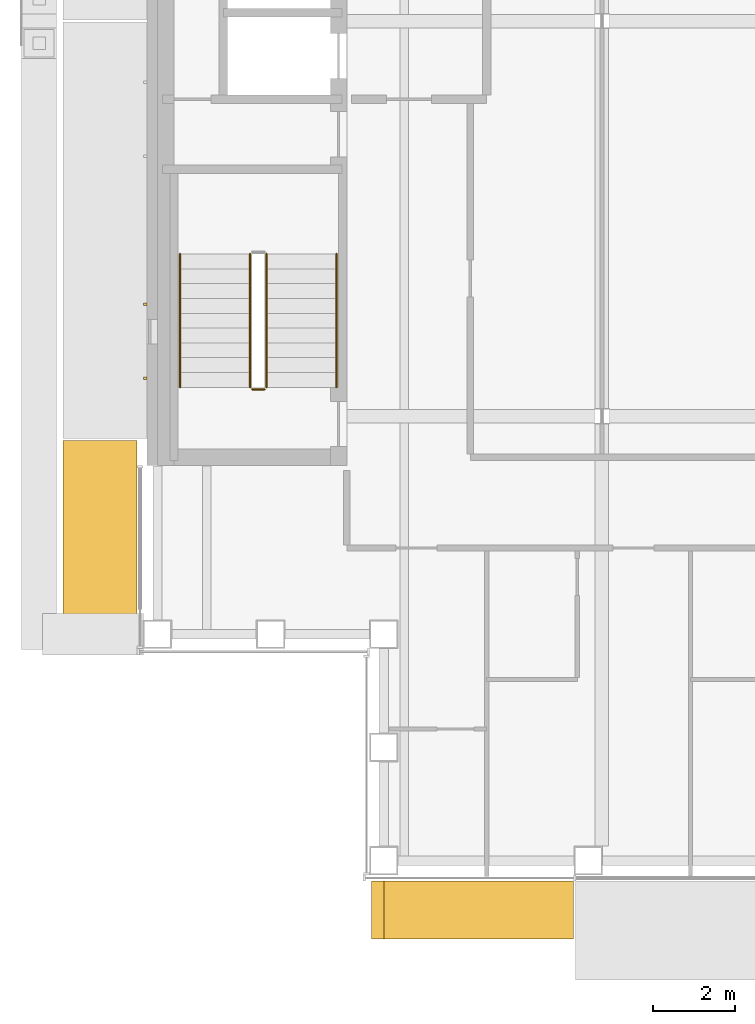
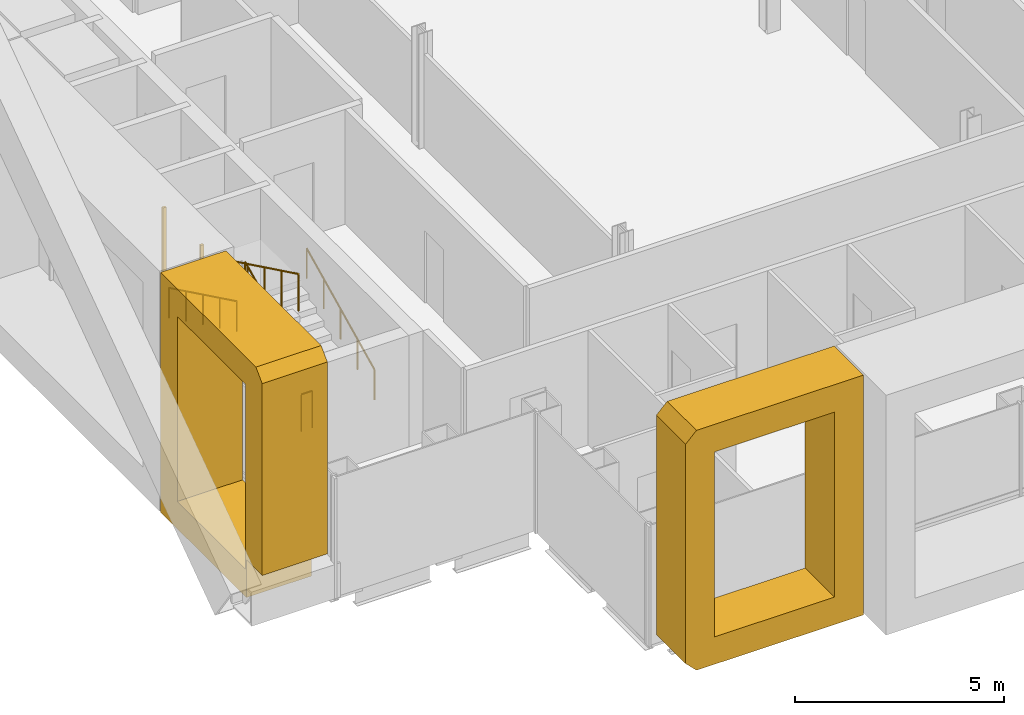
# One storey, part 15 of 21: 5 railings, 4 coverings.
"""IFC4 building model written with IfcOpenShell, lengths in metres."""

import ifcopenshell
import ifcopenshell.guid

model = None  # the IFC model being written
_history = None  # IfcOwnerHistory: only IFC2X3 demands one
_inside = {}  # id of a spatial element -> (the spatial element, [elements in it])
_under = {}  # id of a project, library or spatial element -> (it, [spatial elements below it])
_declared = {}  # id of a project -> (the project, [libraries it declares])
_typed = {}  # id of a type object -> (the type object, [elements of that type])
_made_of = {}  # id of a material, layer set ... -> (it, [elements and type objects made of it])


def new_model(schema):
    """Start an empty IFC model of exactly this schema.

    Asked for "IFC4X3", IfcOpenShell would pick the latest addendum, in which some entities
    have other attributes; the version numbers below select the first issue.
    IFC2X3 requires an IfcOwnerHistory on every rooted entity: one is made here for all.
    """
    global model, _history
    if schema == "IFC4X3":
        model = ifcopenshell.file(schema_version=(4, 3, 0, 0))
    else:
        model = ifcopenshell.file(schema=schema)
    _inside.clear()
    _under.clear()
    _declared.clear()
    _typed.clear()
    _made_of.clear()
    _history = None
    if model.schema == "IFC2X3":
        org = make("IfcOrganization", Name="unknown")
        user = make(
            "IfcPersonAndOrganization",
            ThePerson=make("IfcPerson", FamilyName="unknown"),
            TheOrganization=org,
        )
        app = make(
            "IfcApplication",
            ApplicationDeveloper=org,
            Version="unknown",
            ApplicationFullName="unknown",
            ApplicationIdentifier="unknown",
        )
        _history = make(
            "IfcOwnerHistory",
            OwningUser=user,
            OwningApplication=app,
            ChangeAction="ADDED",
            CreationDate=0,
        )
    return model


def make(cls, **values):
    """One entity of the class cls with the attributes given. An attribute that is None is left unset."""
    return model.create_entity(
        cls, **{name: value for name, value in values.items() if value is not None}
    )


def rooted(cls, **values):
    """An entity with a GlobalId (a new one), such as an element, a storey or a relation."""
    return make(cls, GlobalId=ifcopenshell.guid.new(), OwnerHistory=_history, **values)


def si_unit(unit_type, name, prefix=None):
    """IfcSIUnit, for example si_unit("LENGTHUNIT", "METRE", prefix="MILLI")."""
    return make("IfcSIUnit", UnitType=unit_type, Prefix=prefix, Name=name)


def assignment(units):
    """IfcUnitAssignment: the units of a project."""
    return None if units is None else make("IfcUnitAssignment", Units=units)


def point(xyz):
    """IfcCartesianPoint."""
    return None if xyz is None else make("IfcCartesianPoint", Coordinates=xyz)


def direction(xyz):
    """IfcDirection."""
    return None if xyz is None else make("IfcDirection", DirectionRatios=xyz)


def frame(location, z_axis=None, x_axis=None):
    """IfcAxis2Placement3D, a coordinate frame: its origin and axes. An axis left out is left unset."""
    return make(
        "IfcAxis2Placement3D",
        Location=point(location),
        Axis=direction(z_axis),
        RefDirection=direction(x_axis),
    )


def frame_2d(location, x_axis=None):
    """IfcAxis2Placement2D, a coordinate frame in the plane: its origin and x axis."""
    return make(
        "IfcAxis2Placement2D", Location=point(location), RefDirection=direction(x_axis)
    )


def origin():
    """The frame at (0, 0, 0) with its axes left unset."""
    return frame((0.0, 0.0, 0.0))


def origin_2d():
    """The frame at (0, 0) in the plane with its x axis left unset."""
    return frame_2d((0.0, 0.0))


def place(relative_to, where):
    """IfcLocalPlacement: puts the frame where relative to a parent placement (None: the world)."""
    return make(
        "IfcLocalPlacement", PlacementRelTo=relative_to, RelativePlacement=where
    )


def context(
    kind, dimensions, precision=None, world=None, true_north=None, identifier=None
):
    """IfcGeometricRepresentationContext, for example the 3D "Model" context."""
    return make(
        "IfcGeometricRepresentationContext",
        ContextIdentifier=identifier,
        ContextType=kind,
        CoordinateSpaceDimension=dimensions,
        Precision=precision,
        WorldCoordinateSystem=world,
        TrueNorth=true_north,
    )


def subcontext(parent, identifier, kind, view, scale=None):
    """IfcGeometricRepresentationSubContext, for example "Body" below "Model"."""
    return make(
        "IfcGeometricRepresentationSubContext",
        ContextIdentifier=identifier,
        ContextType=kind,
        ParentContext=parent,
        TargetScale=scale,
        TargetView=view,
    )


def project(units=None, contexts=None):
    """IfcProject with its units and contexts."""
    return rooted(
        "IfcProject",
        Name="project",
        RepresentationContexts=contexts,
        UnitsInContext=assignment(units),
    )


def spatial(cls, under=None, at=None, **own):
    """A site, building, storey or space (cls), placed at a placement, below another one or the project."""
    s = rooted(cls, ObjectPlacement=at, **own)
    if under is not None:
        _under.setdefault(under.id(), (under, []))[1].append(s)
    return s


def polyline(points):
    """IfcPolyline through the points."""
    return make("IfcPolyline", Points=[point(p) for p in points])


def profile(cls, at=None, kind="AREA", **sizes):
    """A parametric profile (cls). Its sizes go by their IFC names, for example OverallWidth=200.0."""
    return make(cls, ProfileType=kind, Position=at, **sizes)


def rectangle(**sizes):
    """IfcRectangleProfileDef."""
    return profile("IfcRectangleProfileDef", **sizes)


def circle(**sizes):
    """IfcCircleProfileDef."""
    return profile("IfcCircleProfileDef", **sizes)


def outline(outer, holes=None, kind="AREA"):
    """IfcArbitraryClosedProfileDef: a profile drawn as a closed curve; with holes, ...WithVoids."""
    if holes is None:
        return make("IfcArbitraryClosedProfileDef", ProfileType=kind, OuterCurve=outer)
    return make(
        "IfcArbitraryProfileDefWithVoids",
        ProfileType=kind,
        OuterCurve=outer,
        InnerCurves=holes,
    )


def extrude(swept, where, along, depth):
    """IfcExtrudedAreaSolid: the profile swept, set in the frame where, extruded along a direction by depth."""
    return make(
        "IfcExtrudedAreaSolid",
        SweptArea=swept,
        Position=where,
        ExtrudedDirection=direction(along),
        Depth=depth,
    )


def shape(context_of_items, identifier, shape_type, items):
    """IfcShapeRepresentation: the items that make up one representation, for example the "Body"."""
    return make(
        "IfcShapeRepresentation",
        ContextOfItems=context_of_items,
        RepresentationIdentifier=identifier,
        RepresentationType=shape_type,
        Items=items,
    )


def material(Name=None, Category=None):
    """IfcMaterial."""
    return make("IfcMaterial", Name=Name, Category=Category)


def made_of(thing, what):
    """Note that an element or type object is made of a material, layer set ...; save() writes the relation."""
    if what is not None:
        _made_of.setdefault(what.id(), (what, []))[1].append(thing)
    return thing


def type_object(cls, material=None, **own):
    """A type object (cls), such as IfcWallType, which elements share."""
    return made_of(rooted(cls, **own), material)


def element(
    cls,
    number,
    at=None,
    inside=None,
    cuts=None,
    type_object=None,
    material=None,
    context=None,
    identifier="Body",
    shape_type=None,
    held_by="IfcProductDefinitionShape",
    body=None,
    shapes=None,
    **own,
):
    """One element of the class cls, such as IfcWall. Its Tag is "e" and its number.

    at: its placement. inside: the storey or other place that contains it. cuts: it is an
    opening in that element (IfcRelVoidsElement). A single representation is given by context,
    identifier, shape_type and body (its items); several are given by shapes. held_by: the class
    of the entity that holds the representations. save() writes the other relations.
    """
    e = rooted(cls, Tag="e%d" % number, ObjectPlacement=at, **own)
    if body is not None:
        shapes = [shape(context, identifier, shape_type, body)]
    if shapes is not None:
        e.Representation = make(held_by, Representations=shapes)
    if inside is not None:
        _inside.setdefault(inside.id(), (inside, []))[1].append(e)
    if cuts is not None:
        rooted(
            "IfcRelVoidsElement", RelatingBuildingElement=cuts, RelatedOpeningElement=e
        )
    if type_object is not None:
        _typed.setdefault(type_object.id(), (type_object, []))[1].append(e)
    return made_of(e, material)


def aggregate(whole, parts):
    """IfcRelAggregates: a whole, such as a stair, and the parts it consists of."""
    return rooted("IfcRelAggregates", RelatingObject=whole, RelatedObjects=parts)


def save(model, path):
    """Write the relations noted so far, then the file.

    IfcRelAggregates (storeys below a building ...), IfcRelContainedInSpatialStructure (elements
    in a storey), IfcRelDefinesByType, IfcRelAssociatesMaterial and IfcRelDeclares: one each for
    every whole, place, type object, material and project.
    """
    for whole, parts in _under.values():
        aggregate(whole, parts)
    for where, things in _inside.values():
        rooted(
            "IfcRelContainedInSpatialStructure",
            RelatedElements=things,
            RelatingStructure=where,
        )
    for kind, things in _typed.values():
        rooted("IfcRelDefinesByType", RelatedObjects=things, RelatingType=kind)
    for what, things in _made_of.values():
        rooted("IfcRelAssociatesMaterial", RelatedObjects=things, RelatingMaterial=what)
    for by, libraries in _declared.values():
        rooted("IfcRelDeclares", RelatingContext=by, RelatedDefinitions=libraries)
    model.write(path)


model = new_model("IFC4")

# Units and contexts
model_context = context("Model", 3, precision=1e-05, world=origin(), true_north=direction((0.0, 1.0)))
body_context = subcontext(model_context, "Body", "Model", "MODEL_VIEW")
ifc_project = project(units=[si_unit("LENGTHUNIT", "METRE"), si_unit("AREAUNIT", "SQUARE_METRE"), si_unit("VOLUMEUNIT", "CUBIC_METRE"), si_unit("PLANEANGLEUNIT", "RADIAN"), si_unit("MASSUNIT", "GRAM", prefix="KILO")], contexts=[model_context])

# Site, building, storey
site_placement = place(None, origin())
site = spatial("IfcSite", under=ifc_project, at=site_placement, CompositionType="ELEMENT")
building_placement = place(site_placement, origin())
building = spatial("IfcBuilding", under=site, at=building_placement, Name="Cobrizo Arcos Hotel Tower", CompositionType="ELEMENT")
storey_placement = place(building_placement, frame((0.0, 0.0, 212.0)))
storey = spatial("IfcBuildingStorey", under=building, at=storey_placement, Name="L55", CompositionType="ELEMENT", Elevation=212.0)

# Coverings
ifc_material_1 = material(Name="Aluminium 6063-T6 anodised bronze", Category="aluminium")
covering_type_1 = type_object("IfcCoveringType", Name="FIN-F 1400", PredefinedType="CLADDING", material=ifc_material_1)
covering_1_placement = place(storey_placement, frame((-15.199951171875, -20.89990234375, 0.0), z_axis=(0.0, -1.0, 0.0), x_axis=(1.0, 0.0, 0.0)))
element("IfcCovering", 1, at=covering_1_placement, inside=storey, type_object=covering_type_1, Name="Fin frame 335", PredefinedType="CLADDING", context=body_context, shape_type="SweptSolid", body=[
    extrude(outline(polyline([(0.0, 0.300048828125), (0.300048828125, 0.0), (4.908203125, 0.0), (4.908203125, 7.0), (0.300048828125, 7.0), (0.0, 6.699951171875), (0.0, 0.300048828125)]), holes=[polyline([(4.1083984375, 0.800048828125), (0.800048828125, 0.800048828125), (0.800048828125, 6.199951171875), (4.1083984375, 6.199951171875), (4.1083984375, 0.800048828125)])]), origin(), (0.0, 0.0, 1.0), 1.400146484375),
])
covering_type_2 = type_object("IfcCoveringType", Name="FIN-F 1800", PredefinedType="CLADDING", material=ifc_material_1)
covering_2_placement = place(storey_placement, frame((-20.89990234375, -10.191650390625, 0.0), z_axis=(-1.0, 0.0, 0.0), x_axis=(0.0, -1.0, 0.0)))
element("IfcCovering", 2, at=covering_2_placement, inside=storey, type_object=covering_type_2, Name="Fin frame 356", PredefinedType="CLADDING", context=body_context, shape_type="SweptSolid", body=[
    extrude(outline(polyline([(0.0, 0.0), (4.106201171875, 0.0), (4.106201171875, 1.10205078125), (4.8583984375, 1.10205078125), (4.8583984375, 6.699951171875), (4.558349609375, 7.0), (0.0, 7.0), (0.0, 0.0)]), holes=[polyline([(4.058349609375, 0.800048828125), (0.800048828125, 0.800048828125), (0.800048828125, 6.199951171875), (4.058349609375, 6.199951171875), (4.058349609375, 0.800048828125)])]), origin(), (0.0, 0.0, 1.0), 1.800048828125),
])
ifc_material_2 = material(Name="Aluminium 6063-T6 anodised pale", Category="aluminium")
covering_type_3 = type_object("IfcCoveringType", Name="RS-1 rainscreen rib 60x90", PredefinedType="CLADDING", material=ifc_material_2)
for number, where, z_axis, x_axis, name in (
    (3, (-20.695068359375, -6.88330078125, 0.800048828125), (0.0, 0.0, 1.0), (0.0, -1.0, 0.0), "Rainscreen rib 239"),
    (4, (-20.695068359375, -8.683349609375, 0.800048828125), (0.0, 0.0, 1.0), (0.0, -1.0, 0.0), "Rainscreen rib 240"),
):
    element("IfcCovering", number, at=place(storey_placement, frame(where, z_axis=z_axis, x_axis=x_axis)), inside=storey, type_object=covering_type_3, Name=name, PredefinedType="CLADDING", context=body_context, shape_type="SweptSolid", body=[
        extrude(rectangle(XDim=0.06005859375, YDim=0.090087890625, at=origin_2d()), origin(), (0.0, 0.0, 1.0), 5.39990234375),
    ])

# Railings
ifc_material_3 = material(Name="Stainless steel railing", Category="steel")
railing_type_1 = type_object("IfcRailingType", Name="Stair guard 1100", PredefinedType="GUARDRAIL", material=ifc_material_3)
railing_1_placement = place(storey_placement, frame((-17.75, -8.89990234375, 0.175048828125)))
element("IfcRailing", 5, at=railing_1_placement, inside=storey, type_object=railing_type_1, Name="L55 ST-W stair guard 1", PredefinedType="GUARDRAIL", context=body_context, shape_type="SweptSolid", body=[
    extrude(circle(Radius=0.02392578125, at=origin_2d()), frame((0.0, 0.0, 1.076171875), z_axis=(0.0, 0.899372665325, 0.437182809435), x_axis=(-1.0, 0.0, 0.0)), (0.0, 0.0, 1.0), 3.6025390625),
    extrude(circle(Radius=0.02099609375, at=origin_2d()), origin(), (0.0, 0.0, 1.0), 1.052001953125),
    extrude(circle(Radius=0.02099609375, at=origin_2d()), frame((0.0, 0.81005859375, 0.393798828125)), (0.0, 0.0, 1.0), 1.052001953125),
    extrude(circle(Radius=0.02099609375, at=origin_2d()), frame((0.0, 1.6201171875, 0.78759765625)), (0.0, 0.0, 1.0), 1.052001953125),
    extrude(circle(Radius=0.02099609375, at=origin_2d()), frame((0.0, 2.429931640625, 1.18115234375)), (0.0, 0.0, 1.0), 1.052001953125),
    extrude(circle(Radius=0.02099609375, at=origin_2d()), frame((0.0, 3.239990234375, 1.574951171875)), (0.0, 0.0, 1.0), 1.052001953125),
])
railing_2_placement = place(storey_placement, frame((-18.14990234375, -5.659912109375, 1.925048828125)))
element("IfcRailing", 6, at=railing_2_placement, inside=storey, type_object=railing_type_1, Name="L55 ST-W stair guard 3", PredefinedType="GUARDRAIL", context=body_context, shape_type="SweptSolid", body=[
    extrude(circle(Radius=0.02392578125, at=origin_2d()), frame((0.0, 0.0, 1.076171875), z_axis=(0.0, -0.899372665325, 0.437182809435), x_axis=(1.0, 0.0, 0.0)), (0.0, 0.0, 1.0), 3.6025390625),
    extrude(circle(Radius=0.02099609375, at=origin_2d()), origin(), (0.0, 0.0, 1.0), 1.052001953125),
    extrude(circle(Radius=0.02099609375, at=origin_2d()), frame((0.0, -0.81005859375, 0.393798828125)), (0.0, 0.0, 1.0), 1.052001953125),
    extrude(circle(Radius=0.02099609375, at=origin_2d()), frame((0.0, -1.6201171875, 0.78759765625)), (0.0, 0.0, 1.0), 1.052001953125),
    extrude(circle(Radius=0.02099609375, at=origin_2d()), frame((0.0, -2.429931640625, 1.18115234375)), (0.0, 0.0, 1.0), 1.052001953125),
    extrude(circle(Radius=0.02099609375, at=origin_2d()), frame((0.0, -3.239990234375, 1.574951171875)), (0.0, 0.0, 1.0), 1.052001953125),
])
railing_3_placement = place(storey_placement, frame((-17.800048828125, -8.949951171875, 0.0)))
element("IfcRailing", 7, at=railing_3_placement, inside=storey, type_object=railing_type_1, Name="L55 ST-W stair guard 4", PredefinedType="GUARDRAIL", context=body_context, shape_type="SweptSolid", body=[
    extrude(circle(Radius=0.02392578125, at=origin_2d()), frame((0.0, 0.0, 1.076171875), z_axis=(-1.0, 0.0, 0.0), x_axis=(0.0, -1.0, 0.0)), (0.0, 0.0, 1.0), 0.300048828125),
    extrude(circle(Radius=0.02099609375, at=origin_2d()), origin(), (0.0, 0.0, 1.0), 1.052001953125),
    extrude(circle(Radius=0.02099609375, at=origin_2d()), frame((-0.300048828125, 0.0, 0.0)), (0.0, 0.0, 1.0), 1.052001953125),
])
railing_type_2 = type_object("IfcRailingType", Name="Stair handrail", PredefinedType="HANDRAIL", material=ifc_material_3)
railing_4_placement = place(storey_placement, frame((-16.050048828125, -8.89990234375, 0.175048828125)))
element("IfcRailing", 8, at=railing_4_placement, inside=storey, type_object=railing_type_2, Name="L55 ST-W stair handrail 1", PredefinedType="HANDRAIL", context=body_context, shape_type="SweptSolid", body=[
    extrude(circle(Radius=0.02392578125, at=origin_2d()), frame((0.0, 0.0, 0.8759765625), z_axis=(0.0, 0.899372665325, 0.437182809435), x_axis=(-1.0, 0.0, 0.0)), (0.0, 0.0, 1.0), 3.6025390625),
    extrude(circle(Radius=0.02099609375, at=origin_2d()), origin(), (0.0, 0.0, 1.0), 0.851806640625),
    extrude(circle(Radius=0.02099609375, at=origin_2d()), frame((0.0, 0.81005859375, 0.393798828125)), (0.0, 0.0, 1.0), 0.851806640625),
    extrude(circle(Radius=0.02099609375, at=origin_2d()), frame((0.0, 1.6201171875, 0.78759765625)), (0.0, 0.0, 1.0), 0.851806640625),
    extrude(circle(Radius=0.02099609375, at=origin_2d()), frame((0.0, 2.429931640625, 1.18115234375)), (0.0, 0.0, 1.0), 0.851806640625),
    extrude(circle(Radius=0.02099609375, at=origin_2d()), frame((0.0, 3.239990234375, 1.574951171875)), (0.0, 0.0, 1.0), 0.851806640625),
])
railing_5_placement = place(storey_placement, frame((-19.85009765625, -5.659912109375, 1.925048828125)))
element("IfcRailing", 9, at=railing_5_placement, inside=storey, type_object=railing_type_2, Name="L55 ST-W stair handrail 2", PredefinedType="HANDRAIL", context=body_context, shape_type="SweptSolid", body=[
    extrude(circle(Radius=0.02392578125, at=origin_2d()), frame((0.0, 0.0, 0.8759765625), z_axis=(0.0, -0.899372665325, 0.437182809435), x_axis=(1.0, 0.0, 0.0)), (0.0, 0.0, 1.0), 3.6025390625),
    extrude(circle(Radius=0.02099609375, at=origin_2d()), origin(), (0.0, 0.0, 1.0), 0.851806640625),
    extrude(circle(Radius=0.02099609375, at=origin_2d()), frame((0.0, -0.81005859375, 0.393798828125)), (0.0, 0.0, 1.0), 0.851806640625),
    extrude(circle(Radius=0.02099609375, at=origin_2d()), frame((0.0, -1.6201171875, 0.78759765625)), (0.0, 0.0, 1.0), 0.851806640625),
    extrude(circle(Radius=0.02099609375, at=origin_2d()), frame((0.0, -2.429931640625, 1.18115234375)), (0.0, 0.0, 1.0), 0.851806640625),
    extrude(circle(Radius=0.02099609375, at=origin_2d()), frame((0.0, -3.239990234375, 1.574951171875)), (0.0, 0.0, 1.0), 0.851806640625),
])

save(model, "model.ifc")
